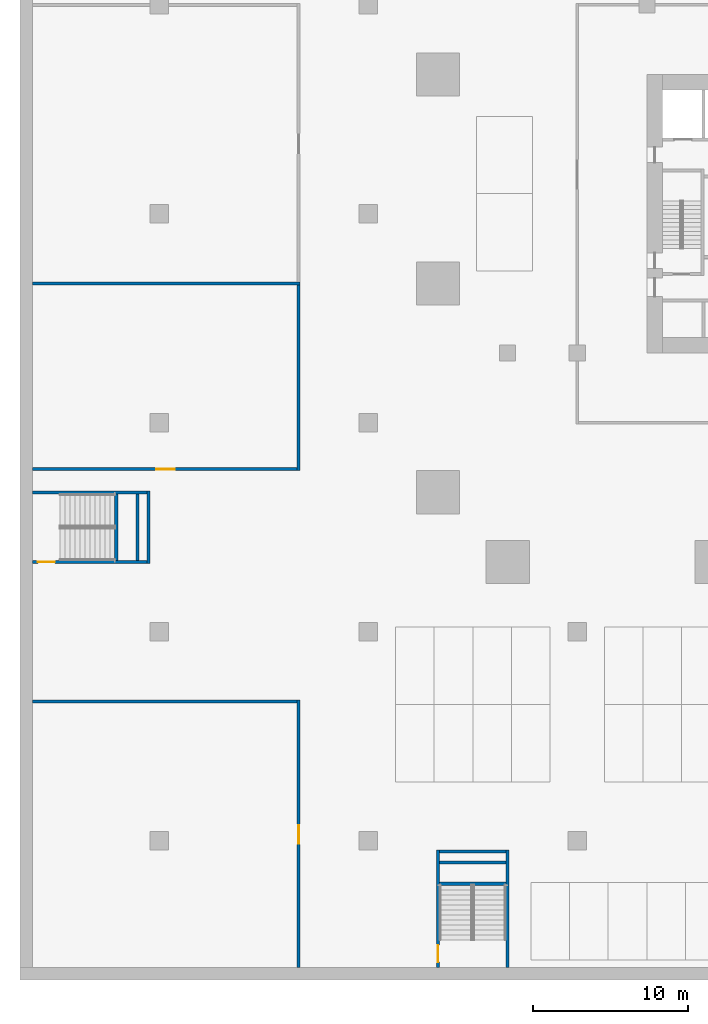
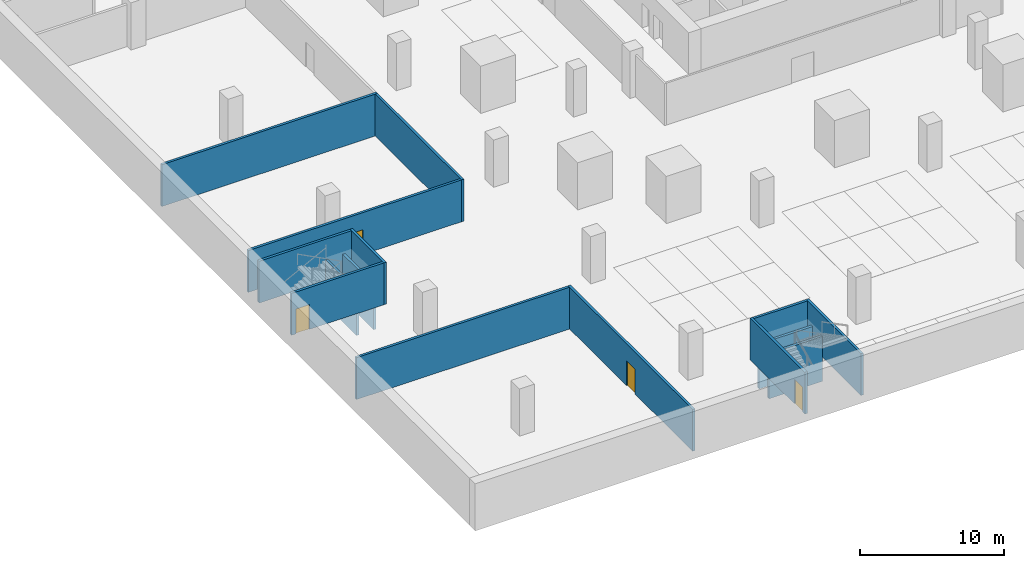
# One storey, part 2 of 31: 15 walls, 4 doors, 4 openings.
"""IFC4 building model written with IfcOpenShell, lengths in metres."""

from ifc_helpers import new_model, si_unit, direction, frame, frame_2d, origin, place, context, subcontext, project, spatial, rectangle, extrude, material, layer, layer_set, type_object, element, fill, save


model = new_model("IFC4")

# Units and contexts
model_context = context("Model", 3, precision=1e-05, world=origin(), true_north=direction((0.0, 1.0)))
body_context = subcontext(model_context, "Body", "Model", "MODEL_VIEW")
ifc_project = project(units=[si_unit("LENGTHUNIT", "METRE"), si_unit("AREAUNIT", "SQUARE_METRE"), si_unit("VOLUMEUNIT", "CUBIC_METRE"), si_unit("PLANEANGLEUNIT", "RADIAN"), si_unit("MASSUNIT", "GRAM", prefix="KILO")], contexts=[model_context])

# Site, building, storey
site_placement = place(None, origin())
site = spatial("IfcSite", under=ifc_project, at=site_placement, CompositionType="ELEMENT")
building_placement = place(site_placement, origin())
building = spatial("IfcBuilding", under=site, at=building_placement, Name="Altepetl Exchange Towers", CompositionType="ELEMENT")
storey_placement = place(building_placement, frame((0.0, 0.0, -4.0)))
storey = spatial("IfcBuildingStorey", under=building, at=storey_placement, Name="B1 Basement services", CompositionType="ELEMENT", Elevation=-4.0)

# Walls
ifc_material_1 = material(Name="Reinforced concrete C35/45", Category="concrete")
ifc_layer_1 = layer(ifc_material_1, 0.199951171875)
ifc_layer_set_1 = layer_set([ifc_layer_1], Name="Reinforced concrete C35/45")
wall_type_1 = type_object("IfcWallType", Name="Landing support wall 200", PredefinedType="SOLIDWALL", material=ifc_layer_set_1)
for number, where, name in (
    (1, (27.10009765625, 6.219970703125, -2.0), "wall:P:B1:ES1sup0"),
    (2, (27.10009765625, 7.60009765625, -2.0), "wall:P:B1:ES1sup1"),
):
    element("IfcWall", number, at=place(storey_placement, frame(where)), inside=storey, type_object=wall_type_1, Name=name, PredefinedType="SOLIDWALL", context=body_context, shape_type="SweptSolid", body=[
        extrude(rectangle(XDim=4.2998046875, YDim=0.199951171875, at=frame_2d((2.14990234375, 0.0))), origin(), (0.0, 0.0, 1.0), 3.800048828125),
    ])
for number, where, z_axis, x_axis, name in (
    (3, (6.219970703125, 31.39990234375, -2.0), (0.0, 0.0, 1.0), (0.0, -1.0, 0.0), "wall:P:B1:ES3sup0"),
    (4, (7.60009765625, 31.39990234375, -2.0), (0.0, 0.0, 1.0), (0.0, -1.0, 0.0), "wall:P:B1:ES3sup1"),
):
    element("IfcWall", number, at=place(storey_placement, frame(where, z_axis=z_axis, x_axis=x_axis)), inside=storey, type_object=wall_type_1, Name=name, PredefinedType="SOLIDWALL", context=body_context, shape_type="SweptSolid", body=[
        extrude(rectangle(XDim=4.2998046875, YDim=0.199951171875, at=frame_2d((2.14990234375, 0.0))), origin(), (0.0, 0.0, 1.0), 3.800048828125),
    ])

# Wall, opening, door
ifc_material_2 = material(Name="Concrete block masonry", Category="masonry")
ifc_layer_2 = layer(ifc_material_2, 0.199951171875)
ifc_layer_set_2 = layer_set([ifc_layer_2], Name="Concrete block masonry")
wall_type_2 = type_object("IfcWallType", Name="Podium fire wall 200", PredefinedType="SOLIDWALL", material=ifc_layer_set_2)
wall_1_placement = place(storey_placement, frame((18.0, 0.800048828125, 0.0), z_axis=(0.0, 0.0, 1.0), x_axis=(0.0, 1.0, 0.0)))
wall_1 = element("IfcWall", 5, at=wall_1_placement, inside=storey, type_object=wall_type_2, Name="wall:P:B1:P001", PredefinedType="SOLIDWALL", context=body_context, shape_type="SweptSolid", body=[
    extrude(rectangle(XDim=17.300048828125, YDim=0.199951171875, at=frame_2d((8.64990234375, 0.0))), origin(), (0.0, 0.0, 1.0), 3.550048828125),
])
opening_1_placement = place(wall_1_placement, frame((8.0, 0.0, 0.0)))
opening_1 = element("IfcOpeningElement", 6, at=opening_1_placement, cuts=wall_1, Name="Opening B1.P001", PredefinedType="OPENING", context=body_context, shape_type="SweptSolid", body=[
    extrude(rectangle(XDim=1.199951171875, YDim=2.10009765625, at=frame_2d((0.60009765625, 1.050048828125))), frame((0.0, 0.10986328125, 0.0), z_axis=(0.0, -1.0, 0.0), x_axis=(1.0, 0.0, 0.0)), (0.0, 0.0, 1.0), 0.219970703125),
])
ifc_material_3 = material(Name="Steel fire door", Category="steel")
door_type_1 = type_object("IfcDoorType", Name="Podium fire door 1200 x 2100 double leaf", OperationType="DOUBLE_DOOR_SINGLE_SWING", PredefinedType="DOOR", material=ifc_material_3)
door_1_placement = place(opening_1_placement, origin())
door_1 = element("IfcDoor", 7, at=door_1_placement, inside=storey, type_object=door_type_1, Name="door:P:B1:001", OperationType="DOUBLE_DOOR_SINGLE_SWING", OverallHeight=2.10009765625, OverallWidth=1.199951171875, PredefinedType="DOOR", context=body_context, shape_type="SweptSolid", body=[
    extrude(rectangle(XDim=1.199951171875, YDim=2.10009765625, at=frame_2d((0.60009765625, 1.050048828125))), frame((0.0, 0.02490234375, 0.0), z_axis=(0.0, -1.0, 0.0), x_axis=(1.0, 0.0, 0.0)), (0.0, 0.0, 1.0), 0.050048828125),
])
fill(opening_1, door_1)

# Walls
wall_2_placement = place(storey_placement, frame((0.800048828125, 18.0, 0.0)))
element("IfcWall", 8, at=wall_2_placement, inside=storey, type_object=wall_type_2, Name="wall:P:B1:P002", PredefinedType="SOLIDWALL", context=body_context, shape_type="SweptSolid", body=[
    extrude(rectangle(XDim=17.099853515625, YDim=0.199951171875, at=frame_2d((8.5498046875, 0.0))), origin(), (0.0, 0.0, 1.0), 3.550048828125),
])
wall_3_placement = place(storey_placement, frame((0.800048828125, 45.0, 0.0)))
element("IfcWall", 9, at=wall_3_placement, inside=storey, type_object=wall_type_2, Name="wall:P:B1:P003", PredefinedType="SOLIDWALL", context=body_context, shape_type="SweptSolid", body=[
    extrude(rectangle(XDim=17.300048828125, YDim=0.199951171875, at=frame_2d((8.64990234375, 0.0))), origin(), (0.0, 0.0, 1.0), 3.550048828125),
])
wall_4_placement = place(storey_placement, frame((18.0, 32.89990234375, 0.0), z_axis=(0.0, 0.0, 1.0), x_axis=(0.0, 1.0, 0.0)))
element("IfcWall", 10, at=wall_4_placement, inside=storey, type_object=wall_type_2, Name="wall:P:B1:P004", PredefinedType="SOLIDWALL", context=body_context, shape_type="SweptSolid", body=[
    extrude(rectangle(XDim=12.0, YDim=0.199951171875, at=frame_2d((6.0, 0.0))), origin(), (0.0, 0.0, 1.0), 3.550048828125),
])

# Wall, opening, door
wall_5_placement = place(storey_placement, frame((0.800048828125, 33.0, 0.0)))
wall_5 = element("IfcWall", 11, at=wall_5_placement, inside=storey, type_object=wall_type_2, Name="wall:P:B1:P005", PredefinedType="SOLIDWALL", context=body_context, shape_type="SweptSolid", body=[
    extrude(rectangle(XDim=17.099853515625, YDim=0.199951171875, at=frame_2d((8.5498046875, 0.0))), origin(), (0.0, 0.0, 1.0), 3.550048828125),
])
opening_2_placement = place(wall_5_placement, frame((8.0, 0.0, 0.0)))
opening_2 = element("IfcOpeningElement", 12, at=opening_2_placement, cuts=wall_5, Name="Opening B1.P002", PredefinedType="OPENING", context=body_context, shape_type="SweptSolid", body=[
    extrude(rectangle(XDim=1.199951171875, YDim=2.10009765625, at=frame_2d((0.60009765625, 1.050048828125))), frame((0.0, 0.10986328125, 0.0), z_axis=(0.0, -1.0, 0.0), x_axis=(1.0, 0.0, 0.0)), (0.0, 0.0, 1.0), 0.219970703125),
])
door_2_placement = place(opening_2_placement, origin())
door_2 = element("IfcDoor", 13, at=door_2_placement, inside=storey, type_object=door_type_1, Name="door:P:B1:002", OperationType="DOUBLE_DOOR_SINGLE_SWING", OverallHeight=2.10009765625, OverallWidth=1.199951171875, PredefinedType="DOOR", context=body_context, shape_type="SweptSolid", body=[
    extrude(rectangle(XDim=1.199951171875, YDim=2.10009765625, at=frame_2d((0.60009765625, 1.050048828125))), frame((0.0, 0.02490234375, 0.0), z_axis=(0.0, -1.0, 0.0), x_axis=(1.0, 0.0, 0.0)), (0.0, 0.0, 1.0), 0.050048828125),
])
fill(opening_2, door_2)

ifc_layer_3 = layer(ifc_material_1, 0.199951171875)
ifc_layer_set_3 = layer_set([ifc_layer_3], Name="Reinforced concrete C35/45")
wall_type_3 = type_object("IfcWallType", Name="Stair enclosure wall 200", PredefinedType="SOLIDWALL", material=ifc_layer_set_3)
wall_6_placement = place(storey_placement, frame((27.0, 0.800048828125, 0.0), z_axis=(0.0, 0.0, 1.0), x_axis=(0.0, 1.0, 0.0)))
wall_6 = element("IfcWall", 14, at=wall_6_placement, inside=storey, type_object=wall_type_3, Name="wall:P:B1:P058", PredefinedType="SOLIDWALL", context=body_context, shape_type="SweptSolid", body=[
    extrude(rectangle(XDim=7.599853515625, YDim=0.199951171875, at=frame_2d((3.7998046875, 0.0))), origin(), (0.0, 0.0, 1.0), 3.550048828125),
])
opening_3_placement = place(wall_6_placement, frame((0.35009765625, 0.0, 0.0)))
opening_3 = element("IfcOpeningElement", 15, at=opening_3_placement, cuts=wall_6, Name="Opening B1.P013", PredefinedType="OPENING", context=body_context, shape_type="SweptSolid", body=[
    extrude(rectangle(XDim=1.10009765625, YDim=2.10009765625, at=frame_2d((0.550048828125, 1.050048828125))), frame((0.0, 0.10986328125, 0.0), z_axis=(0.0, -1.0, 0.0), x_axis=(1.0, 0.0, 0.0)), (0.0, 0.0, 1.0), 0.219970703125),
])
door_type_2 = type_object("IfcDoorType", Name="Podium fire door 1100 x 2100 single leaf", OperationType="SINGLE_SWING_LEFT", PredefinedType="DOOR", material=ifc_material_3)
door_3_placement = place(opening_3_placement, frame((1.10009765625, 0.0, 0.0), x_axis=(-1.0, 0.0, 0.0)))
door_3 = element("IfcDoor", 16, at=door_3_placement, inside=storey, type_object=door_type_2, Name="door:P:B1:013", OperationType="SINGLE_SWING_LEFT", OverallHeight=2.10009765625, OverallWidth=1.10009765625, PredefinedType="DOOR", context=body_context, shape_type="SweptSolid", body=[
    extrude(rectangle(XDim=1.10009765625, YDim=2.10009765625, at=frame_2d((0.550048828125, 1.050048828125))), frame((0.0, 0.02490234375, 0.0), z_axis=(0.0, -1.0, 0.0), x_axis=(1.0, 0.0, 0.0)), (0.0, 0.0, 1.0), 0.050048828125),
])
fill(opening_3, door_3)

# Walls
wall_7_placement = place(storey_placement, frame((31.5, 0.800048828125, 0.0), z_axis=(0.0, 0.0, 1.0), x_axis=(0.0, 1.0, 0.0)))
element("IfcWall", 17, at=wall_7_placement, inside=storey, type_object=wall_type_3, Name="wall:P:B1:P059", PredefinedType="SOLIDWALL", context=body_context, shape_type="SweptSolid", body=[
    extrude(rectangle(XDim=7.599853515625, YDim=0.199951171875, at=frame_2d((3.7998046875, 0.0))), origin(), (0.0, 0.0, 1.0), 3.550048828125),
])
wall_8_placement = place(storey_placement, frame((27.10009765625, 8.300048828125, 0.0)))
element("IfcWall", 18, at=wall_8_placement, inside=storey, type_object=wall_type_3, Name="wall:P:B1:P060", PredefinedType="SOLIDWALL", context=body_context, shape_type="SweptSolid", body=[
    extrude(rectangle(XDim=4.2998046875, YDim=0.199951171875, at=frame_2d((2.14990234375, 0.0))), origin(), (0.0, 0.0, 1.0), 3.550048828125),
])
wall_9_placement = place(storey_placement, frame((8.300048828125, 26.89990234375, 0.0), z_axis=(0.0, 0.0, 1.0), x_axis=(0.0, 1.0, 0.0)))
element("IfcWall", 19, at=wall_9_placement, inside=storey, type_object=wall_type_3, Name="wall:P:B1:P064", PredefinedType="SOLIDWALL", context=body_context, shape_type="SweptSolid", body=[
    extrude(rectangle(XDim=4.7001953125, YDim=0.199951171875, at=frame_2d((2.35009765625, 0.0))), origin(), (0.0, 0.0, 1.0), 3.550048828125),
])

# Wall, opening, door
wall_10_placement = place(storey_placement, frame((0.800048828125, 27.0, 0.0)))
wall_10 = element("IfcWall", 20, at=wall_10_placement, inside=storey, type_object=wall_type_3, Name="wall:P:B1:P065", PredefinedType="SOLIDWALL", context=body_context, shape_type="SweptSolid", body=[
    extrude(rectangle(XDim=7.39990234375, YDim=0.199951171875, at=frame_2d((3.699951171875, 0.0))), origin(), (0.0, 0.0, 1.0), 3.550048828125),
])
opening_4_placement = place(wall_10_placement, frame((0.35009765625, 0.0, 0.0)))
opening_4 = element("IfcOpeningElement", 21, at=opening_4_placement, cuts=wall_10, Name="Opening B1.P015", PredefinedType="OPENING", context=body_context, shape_type="SweptSolid", body=[
    extrude(rectangle(XDim=1.10009765625, YDim=2.10009765625, at=frame_2d((0.550048828125, 1.050048828125))), frame((0.0, 0.10986328125, 0.0), z_axis=(0.0, -1.0, 0.0), x_axis=(1.0, 0.0, 0.0)), (0.0, 0.0, 1.0), 0.219970703125),
])
door_4_placement = place(opening_4_placement, origin())
door_4 = element("IfcDoor", 22, at=door_4_placement, inside=storey, type_object=door_type_2, Name="door:P:B1:015", OperationType="SINGLE_SWING_RIGHT", OverallHeight=2.10009765625, OverallWidth=1.10009765625, PredefinedType="DOOR", context=body_context, shape_type="SweptSolid", body=[
    extrude(rectangle(XDim=1.10009765625, YDim=2.10009765625, at=frame_2d((0.550048828125, 1.050048828125))), frame((0.0, 0.02490234375, 0.0), z_axis=(0.0, -1.0, 0.0), x_axis=(1.0, 0.0, 0.0)), (0.0, 0.0, 1.0), 0.050048828125),
])
fill(opening_4, door_4)

# Wall
wall_11_placement = place(storey_placement, frame((0.800048828125, 31.5, 0.0)))
element("IfcWall", 23, at=wall_11_placement, inside=storey, type_object=wall_type_3, Name="wall:P:B1:P066", PredefinedType="SOLIDWALL", context=body_context, shape_type="SweptSolid", body=[
    extrude(rectangle(XDim=7.39990234375, YDim=0.199951171875, at=frame_2d((3.699951171875, 0.0))), origin(), (0.0, 0.0, 1.0), 3.550048828125),
])

save(model, "model.ifc")
